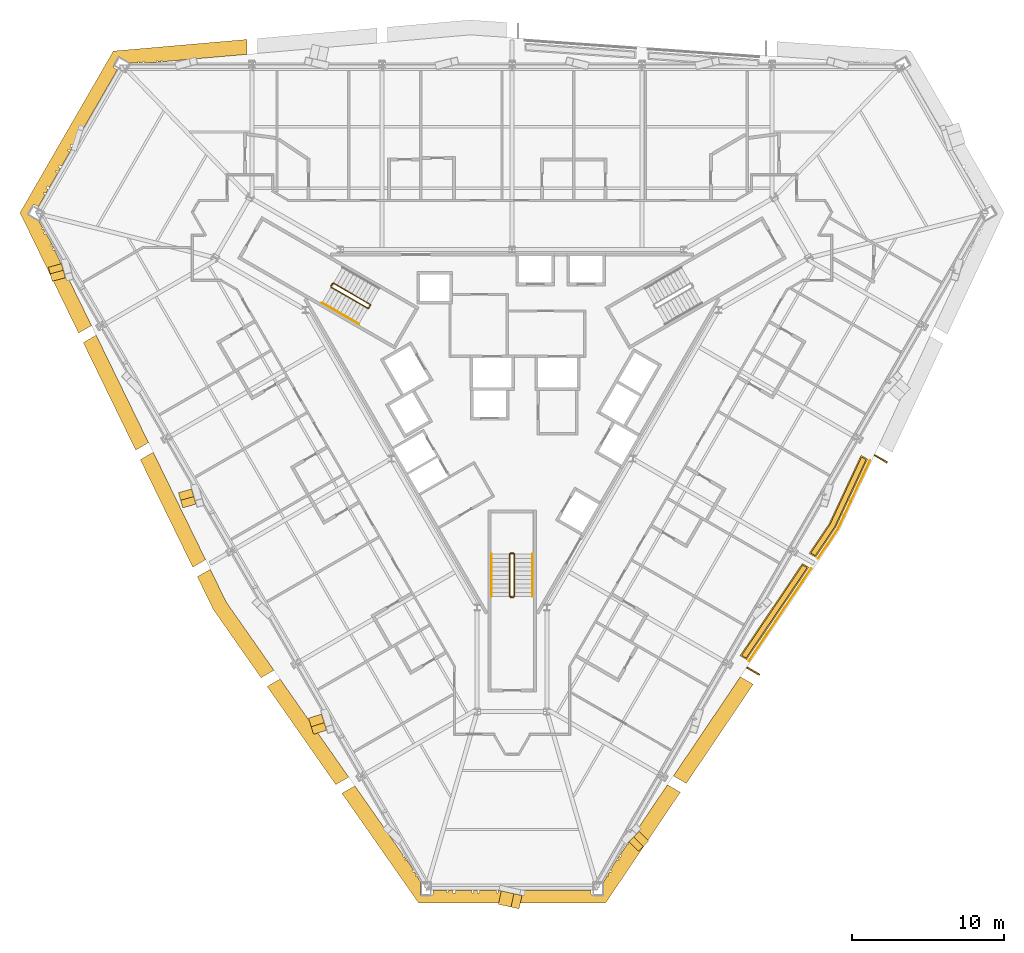
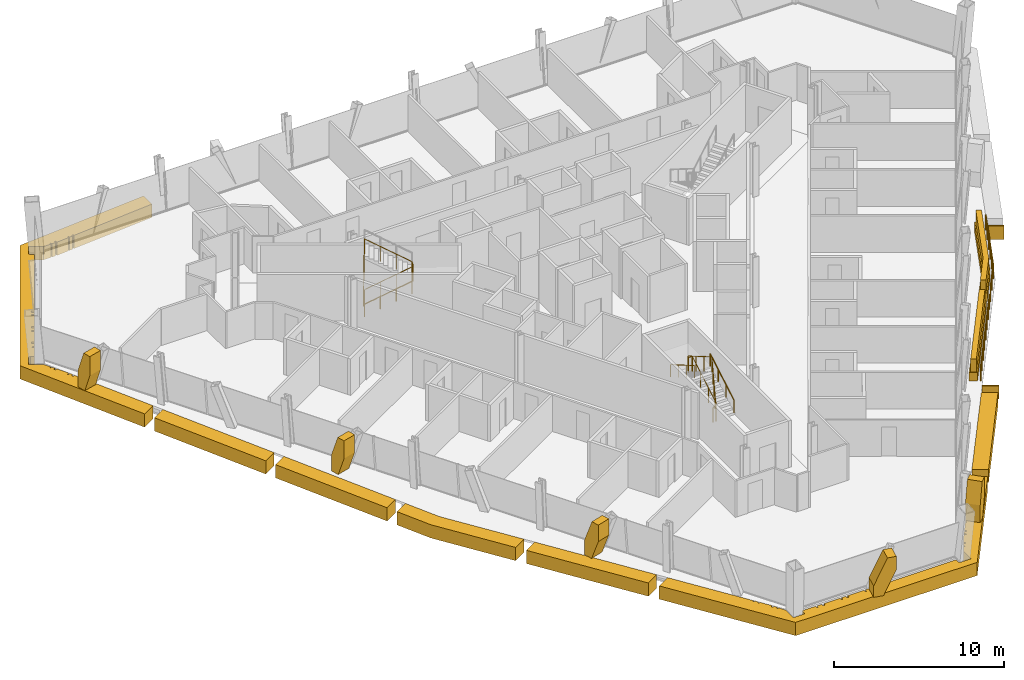
# One storey, part 14 of 15: 18 coverings, 7 railings.
"""IFC4 building model written with IfcOpenShell, lengths in metres."""

import ifcopenshell
import ifcopenshell.guid

model = None  # the IFC model being written
_history = None  # IfcOwnerHistory: only IFC2X3 demands one
_inside = {}  # id of a spatial element -> (the spatial element, [elements in it])
_under = {}  # id of a project, library or spatial element -> (it, [spatial elements below it])
_declared = {}  # id of a project -> (the project, [libraries it declares])
_typed = {}  # id of a type object -> (the type object, [elements of that type])
_made_of = {}  # id of a material, layer set ... -> (it, [elements and type objects made of it])


def new_model(schema):
    """Start an empty IFC model of exactly this schema.

    Asked for "IFC4X3", IfcOpenShell would pick the latest addendum, in which some entities
    have other attributes; the version numbers below select the first issue.
    IFC2X3 requires an IfcOwnerHistory on every rooted entity: one is made here for all.
    """
    global model, _history
    if schema == "IFC4X3":
        model = ifcopenshell.file(schema_version=(4, 3, 0, 0))
    else:
        model = ifcopenshell.file(schema=schema)
    _inside.clear()
    _under.clear()
    _declared.clear()
    _typed.clear()
    _made_of.clear()
    _history = None
    if model.schema == "IFC2X3":
        org = make("IfcOrganization", Name="unknown")
        user = make(
            "IfcPersonAndOrganization",
            ThePerson=make("IfcPerson", FamilyName="unknown"),
            TheOrganization=org,
        )
        app = make(
            "IfcApplication",
            ApplicationDeveloper=org,
            Version="unknown",
            ApplicationFullName="unknown",
            ApplicationIdentifier="unknown",
        )
        _history = make(
            "IfcOwnerHistory",
            OwningUser=user,
            OwningApplication=app,
            ChangeAction="ADDED",
            CreationDate=0,
        )
    return model


def make(cls, **values):
    """One entity of the class cls with the attributes given. An attribute that is None is left unset."""
    return model.create_entity(
        cls, **{name: value for name, value in values.items() if value is not None}
    )


def rooted(cls, **values):
    """An entity with a GlobalId (a new one), such as an element, a storey or a relation."""
    return make(cls, GlobalId=ifcopenshell.guid.new(), OwnerHistory=_history, **values)


def si_unit(unit_type, name, prefix=None):
    """IfcSIUnit, for example si_unit("LENGTHUNIT", "METRE", prefix="MILLI")."""
    return make("IfcSIUnit", UnitType=unit_type, Prefix=prefix, Name=name)


def assignment(units):
    """IfcUnitAssignment: the units of a project."""
    return None if units is None else make("IfcUnitAssignment", Units=units)


def point(xyz):
    """IfcCartesianPoint."""
    return None if xyz is None else make("IfcCartesianPoint", Coordinates=xyz)


def direction(xyz):
    """IfcDirection."""
    return None if xyz is None else make("IfcDirection", DirectionRatios=xyz)


def frame(location, z_axis=None, x_axis=None):
    """IfcAxis2Placement3D, a coordinate frame: its origin and axes. An axis left out is left unset."""
    return make(
        "IfcAxis2Placement3D",
        Location=point(location),
        Axis=direction(z_axis),
        RefDirection=direction(x_axis),
    )


def frame_2d(location, x_axis=None):
    """IfcAxis2Placement2D, a coordinate frame in the plane: its origin and x axis."""
    return make(
        "IfcAxis2Placement2D", Location=point(location), RefDirection=direction(x_axis)
    )


def origin():
    """The frame at (0, 0, 0) with its axes left unset."""
    return frame((0.0, 0.0, 0.0))


def origin_2d():
    """The frame at (0, 0) in the plane with its x axis left unset."""
    return frame_2d((0.0, 0.0))


def place(relative_to, where):
    """IfcLocalPlacement: puts the frame where relative to a parent placement (None: the world)."""
    return make(
        "IfcLocalPlacement", PlacementRelTo=relative_to, RelativePlacement=where
    )


def context(
    kind, dimensions, precision=None, world=None, true_north=None, identifier=None
):
    """IfcGeometricRepresentationContext, for example the 3D "Model" context."""
    return make(
        "IfcGeometricRepresentationContext",
        ContextIdentifier=identifier,
        ContextType=kind,
        CoordinateSpaceDimension=dimensions,
        Precision=precision,
        WorldCoordinateSystem=world,
        TrueNorth=true_north,
    )


def subcontext(parent, identifier, kind, view, scale=None):
    """IfcGeometricRepresentationSubContext, for example "Body" below "Model"."""
    return make(
        "IfcGeometricRepresentationSubContext",
        ContextIdentifier=identifier,
        ContextType=kind,
        ParentContext=parent,
        TargetScale=scale,
        TargetView=view,
    )


def project(units=None, contexts=None):
    """IfcProject with its units and contexts."""
    return rooted(
        "IfcProject",
        Name="project",
        RepresentationContexts=contexts,
        UnitsInContext=assignment(units),
    )


def spatial(cls, under=None, at=None, **own):
    """A site, building, storey or space (cls), placed at a placement, below another one or the project."""
    s = rooted(cls, ObjectPlacement=at, **own)
    if under is not None:
        _under.setdefault(under.id(), (under, []))[1].append(s)
    return s


def polyline(points):
    """IfcPolyline through the points."""
    return make("IfcPolyline", Points=[point(p) for p in points])


def profile(cls, at=None, kind="AREA", **sizes):
    """A parametric profile (cls). Its sizes go by their IFC names, for example OverallWidth=200.0."""
    return make(cls, ProfileType=kind, Position=at, **sizes)


def circle(**sizes):
    """IfcCircleProfileDef."""
    return profile("IfcCircleProfileDef", **sizes)


def outline(outer, holes=None, kind="AREA"):
    """IfcArbitraryClosedProfileDef: a profile drawn as a closed curve; with holes, ...WithVoids."""
    if holes is None:
        return make("IfcArbitraryClosedProfileDef", ProfileType=kind, OuterCurve=outer)
    return make(
        "IfcArbitraryProfileDefWithVoids",
        ProfileType=kind,
        OuterCurve=outer,
        InnerCurves=holes,
    )


def extrude(swept, where, along, depth):
    """IfcExtrudedAreaSolid: the profile swept, set in the frame where, extruded along a direction by depth."""
    return make(
        "IfcExtrudedAreaSolid",
        SweptArea=swept,
        Position=where,
        ExtrudedDirection=direction(along),
        Depth=depth,
    )


def shape(context_of_items, identifier, shape_type, items):
    """IfcShapeRepresentation: the items that make up one representation, for example the "Body"."""
    return make(
        "IfcShapeRepresentation",
        ContextOfItems=context_of_items,
        RepresentationIdentifier=identifier,
        RepresentationType=shape_type,
        Items=items,
    )


def material(Name=None, Category=None):
    """IfcMaterial."""
    return make("IfcMaterial", Name=Name, Category=Category)


def layer(
    of_material, thickness, ventilated=None, Name=None, Category=None, Priority=None
):
    """IfcMaterialLayer: one layer of a wall or slab, of a material (None: an air gap)."""
    return make(
        "IfcMaterialLayer",
        Material=of_material,
        LayerThickness=thickness,
        IsVentilated=ventilated,
        Name=Name,
        Category=Category,
        Priority=Priority,
    )


def layer_set(layers, Name=None):
    """IfcMaterialLayerSet."""
    return make("IfcMaterialLayerSet", MaterialLayers=layers, LayerSetName=Name)


def made_of(thing, what):
    """Note that an element or type object is made of a material, layer set ...; save() writes the relation."""
    if what is not None:
        _made_of.setdefault(what.id(), (what, []))[1].append(thing)
    return thing


def type_object(cls, material=None, **own):
    """A type object (cls), such as IfcWallType, which elements share."""
    return made_of(rooted(cls, **own), material)


def element(
    cls,
    number,
    at=None,
    inside=None,
    cuts=None,
    type_object=None,
    material=None,
    context=None,
    identifier="Body",
    shape_type=None,
    held_by="IfcProductDefinitionShape",
    body=None,
    shapes=None,
    **own,
):
    """One element of the class cls, such as IfcWall. Its Tag is "e" and its number.

    at: its placement. inside: the storey or other place that contains it. cuts: it is an
    opening in that element (IfcRelVoidsElement). A single representation is given by context,
    identifier, shape_type and body (its items); several are given by shapes. held_by: the class
    of the entity that holds the representations. save() writes the other relations.
    """
    e = rooted(cls, Tag="e%d" % number, ObjectPlacement=at, **own)
    if body is not None:
        shapes = [shape(context, identifier, shape_type, body)]
    if shapes is not None:
        e.Representation = make(held_by, Representations=shapes)
    if inside is not None:
        _inside.setdefault(inside.id(), (inside, []))[1].append(e)
    if cuts is not None:
        rooted(
            "IfcRelVoidsElement", RelatingBuildingElement=cuts, RelatedOpeningElement=e
        )
    if type_object is not None:
        _typed.setdefault(type_object.id(), (type_object, []))[1].append(e)
    return made_of(e, material)


def aggregate(whole, parts):
    """IfcRelAggregates: a whole, such as a stair, and the parts it consists of."""
    return rooted("IfcRelAggregates", RelatingObject=whole, RelatedObjects=parts)


def save(model, path):
    """Write the relations noted so far, then the file.

    IfcRelAggregates (storeys below a building ...), IfcRelContainedInSpatialStructure (elements
    in a storey), IfcRelDefinesByType, IfcRelAssociatesMaterial and IfcRelDeclares: one each for
    every whole, place, type object, material and project.
    """
    for whole, parts in _under.values():
        aggregate(whole, parts)
    for where, things in _inside.values():
        rooted(
            "IfcRelContainedInSpatialStructure",
            RelatedElements=things,
            RelatingStructure=where,
        )
    for kind, things in _typed.values():
        rooted("IfcRelDefinesByType", RelatedObjects=things, RelatingType=kind)
    for what, things in _made_of.values():
        rooted("IfcRelAssociatesMaterial", RelatedObjects=things, RelatingMaterial=what)
    for by, libraries in _declared.values():
        rooted("IfcRelDeclares", RelatingContext=by, RelatedDefinitions=libraries)
    model.write(path)


model = new_model("IFC4")

# Units and contexts
model_context = context("Model", 3, precision=1e-05, world=origin(), true_north=direction((0.0, 1.0)))
body_context = subcontext(model_context, "Body", "Model", "MODEL_VIEW")
ifc_project = project(units=[si_unit("LENGTHUNIT", "METRE"), si_unit("AREAUNIT", "SQUARE_METRE"), si_unit("VOLUMEUNIT", "CUBIC_METRE"), si_unit("PLANEANGLEUNIT", "RADIAN"), si_unit("MASSUNIT", "GRAM", prefix="KILO")], contexts=[model_context])

# Site, building, storey
site_placement = place(None, origin())
site = spatial("IfcSite", under=ifc_project, at=site_placement, CompositionType="ELEMENT")
building_placement = place(site_placement, origin())
building = spatial("IfcBuilding", under=site, at=building_placement, Name="Verrane Prism Tower", CompositionType="ELEMENT")
storey_placement = place(building_placement, frame((0.0, 0.0, 72.800048828125)))
storey = spatial("IfcBuildingStorey", under=building, at=storey_placement, Name="L16", CompositionType="ELEMENT", Elevation=72.800048828125)

# Coverings
ifc_material_1 = material(Name="Planting medium in stone kerb", Category="masonry")
covering_type_1 = type_object("IfcCoveringType", Name="Planter bed 600", PredefinedType="USERDEFINED", material=ifc_material_1)
covering_1_placement = place(storey_placement, origin())
element("IfcCovering", 1, at=covering_1_placement, inside=storey, type_object=covering_type_1, Name="Loggia planter SE3 L16", ObjectType="PLANTER", PredefinedType="USERDEFINED", context=body_context, shape_type="SweptSolid", body=[
    extrude(outline(polyline([(15.480224609375, -17.8564453125), (19.587890625, -11.77099609375), (19.155029296875, -11.52099609375), (15.04736328125, -17.6064453125), (15.480224609375, -17.8564453125)])), origin(), (0.0, 0.0, 1.0), 0.599853515625),
])
covering_2_placement = place(storey_placement, origin())
element("IfcCovering", 2, at=covering_2_placement, inside=storey, type_object=covering_type_1, Name="Loggia planter SE4 L16", ObjectType="PLANTER", PredefinedType="USERDEFINED", context=body_context, shape_type="SweptSolid", body=[
    extrude(outline(polyline([(20.03662109375, -11.106201171875), (21.35009765625, -9.160400390625), (23.4658203125, -4.629150390625), (23.03271484375, -4.379150390625), (20.917236328125, -8.910400390625), (19.603759765625, -10.856201171875), (20.03662109375, -11.106201171875)])), origin(), (0.0, 0.0, 1.0), 0.599853515625),
])
ifc_material_2 = material(Name="Planted shrubs and grasses", Category="other")
covering_type_2 = type_object("IfcCoveringType", Name="Planting mass 1000", PredefinedType="USERDEFINED", material=ifc_material_2)
covering_3_placement = place(storey_placement, frame((0.0, 0.0, 0.599853515625)))
element("IfcCovering", 3, at=covering_3_placement, inside=storey, type_object=covering_type_2, Name="Loggia planting SE3 L16", ObjectType="PLANTING", PredefinedType="USERDEFINED", context=body_context, shape_type="SweptSolid", body=[
    extrude(outline(polyline([(19.4736328125, -11.79736328125), (19.1796875, -11.627685546875), (15.16162109375, -17.580078125), (15.455810546875, -17.75), (19.4736328125, -11.79736328125)])), origin(), (0.0, 0.0, 1.0), 0.900146484375),
])
covering_4_placement = place(storey_placement, frame((0.0, 0.0, 0.599853515625)))
element("IfcCovering", 4, at=covering_4_placement, inside=storey, type_object=covering_type_2, Name="Loggia planting SE4 L16", ObjectType="PLANTING", PredefinedType="USERDEFINED", context=body_context, shape_type="SweptSolid", body=[
    extrude(outline(polyline([(21.280517578125, -9.120849609375), (23.3623046875, -4.66162109375), (23.068359375, -4.491943359375), (20.987060546875, -8.949951171875), (19.718017578125, -10.829833984375), (20.01220703125, -10.999755859375), (21.280517578125, -9.120849609375)])), origin(), (0.0, 0.0, 1.0), 0.900146484375),
])

# Railings
ifc_material_3 = material(Name="Steel A36 rail and posts, no infill", Category="steel")
railing_type_1 = type_object("IfcRailingType", Name="Stair guard 1100 steel rail and posts", PredefinedType="GUARDRAIL", material=ifc_material_3)
railing_1_placement = place(storey_placement, frame((-11.939453125, 6.72021484375, 0.16357421875)))
element("IfcRailing", 5, at=railing_1_placement, inside=storey, type_object=railing_type_1, Name="Stair 2 guard", PredefinedType="GUARDRAIL", context=body_context, shape_type="SweptSolid", body=[
    extrude(circle(Radius=0.02392578125, at=origin_2d()), frame((0.0, 0.0, 1.076171875), z_axis=(0.747665513933, -0.431721881032, 0.504591415616), x_axis=(0.500049511043, 0.865996816683, 0.0)), (0.0, 0.0, 1.0), 3.2431640625),
    extrude(circle(Radius=0.02392578125, at=origin_2d()), frame((2.4248046875, -1.400146484375, 2.71240234375), z_axis=(0.965948051503, 0.258736085224, 0.0), x_axis=(-0.258736085224, 0.965948051503, 0.0)), (0.0, 0.0, 1.0), 0.07080078125),
    extrude(circle(Radius=0.02392578125, at=origin_2d()), frame((2.4931640625, -1.3818359375, 2.71240234375), z_axis=(0.499158860599, 0.866510491504, 0.0), x_axis=(-0.866510491504, 0.499158860599, 0.0)), (0.0, 0.0, 1.0), 0.199951171875),
    extrude(circle(Radius=0.02392578125, at=origin_2d()), frame((2.593017578125, -1.20849609375, 2.71240234375), z_axis=(-0.102791240646, 0.382383415203, 0.918268416436), x_axis=(-0.965715946433, -0.259601060869, 0.0)), (0.0, 0.0, 1.0), 0.17822265625),
    extrude(circle(Radius=0.02392578125, at=origin_2d()), frame((2.57470703125, -1.140380859375, 2.8759765625), z_axis=(-0.747693913401, 0.431738279637, 0.504535300807), x_axis=(-0.500049511043, -0.865996816683, 0.0)), (0.0, 0.0, 1.0), 3.2431640625),
    extrude(circle(Radius=0.02392578125, at=origin_2d()), frame((0.14990234375, 0.259765625, 4.51220703125), z_axis=(-0.046610908435, -0.053105316576, -0.997500500534), x_axis=(0.751567565678, -0.659656118156, 0.0)), (0.0, 0.0, 1.0), 3.60888671875),
    extrude(circle(Radius=0.02392578125, at=origin_2d()), frame((-0.018310546875, 0.068115234375, 0.91259765625), z_axis=(0.499158860599, 0.866510491504, 0.0), x_axis=(-0.866510491504, 0.499158860599, 0.0)), (0.0, 0.0, 1.0), 0.199951171875),
    extrude(circle(Radius=0.02099609375, at=origin_2d()), origin(), (0.0, 0.0, 1.0), 1.052001953125),
    extrude(circle(Radius=0.02099609375, at=origin_2d()), frame((0.808349609375, -0.466796875, 0.54541015625)), (0.0, 0.0, 1.0), 1.052001953125),
    extrude(circle(Radius=0.02099609375, at=origin_2d()), frame((1.616455078125, -0.933349609375, 1.091064453125)), (0.0, 0.0, 1.0), 1.052001953125),
    extrude(circle(Radius=0.02099609375, at=origin_2d()), frame((2.4248046875, -1.400146484375, 1.636474609375)), (0.0, 0.0, 1.0), 1.052001953125),
    extrude(circle(Radius=0.02099609375, at=origin_2d()), frame((2.4931640625, -1.3818359375, 1.636474609375)), (0.0, 0.0, 1.0), 1.052001953125),
    extrude(circle(Radius=0.02099609375, at=origin_2d()), frame((2.593017578125, -1.20849609375, 1.636474609375)), (0.0, 0.0, 1.0), 1.052001953125),
    extrude(circle(Radius=0.02099609375, at=origin_2d()), frame((2.57470703125, -1.140380859375, 1.800048828125)), (0.0, 0.0, 1.0), 1.052001953125),
    extrude(circle(Radius=0.02099609375, at=origin_2d()), frame((1.766357421875, -0.673583984375, 2.345458984375)), (0.0, 0.0, 1.0), 1.052001953125),
    extrude(circle(Radius=0.02099609375, at=origin_2d()), frame((0.958251953125, -0.20703125, 2.890869140625)), (0.0, 0.0, 1.0), 1.052001953125),
    extrude(circle(Radius=0.02099609375, at=origin_2d()), frame((0.14990234375, 0.259765625, 3.436279296875)), (0.0, 0.0, 1.0), 1.052001953125),
    extrude(circle(Radius=0.02099609375, at=origin_2d()), frame((0.10791015625, 0.2119140625, 2.536376953125)), (0.0, 0.0, 1.0), 1.052001953125),
    extrude(circle(Radius=0.02099609375, at=origin_2d()), frame((0.06591796875, 0.1640625, 1.63623046875)), (0.0, 0.0, 1.0), 1.052001953125),
    extrude(circle(Radius=0.02099609375, at=origin_2d()), frame((0.023681640625, 0.115966796875, 0.736328125)), (0.0, 0.0, 1.0), 1.052001953125),
    extrude(circle(Radius=0.02099609375, at=origin_2d()), frame((-0.018310546875, 0.068115234375, -0.16357421875)), (0.0, 0.0, 1.0), 1.052001953125),
    extrude(circle(Radius=0.02099609375, at=origin_2d()), frame((0.08154296875, 0.241455078125, -0.16357421875)), (0.0, 0.0, 1.0), 1.052001953125),
])
railing_2_placement = place(storey_placement, frame((0.14990234375, -13.699951171875, 0.16357421875)))
element("IfcRailing", 6, at=railing_2_placement, inside=storey, type_object=railing_type_1, Name="Stair 3 guard", PredefinedType="GUARDRAIL", context=body_context, shape_type="SweptSolid", body=[
    extrude(circle(Radius=0.02392578125, at=origin_2d()), frame((0.0, 0.0, 1.076171875), z_axis=(0.0, 0.863360870873, 0.504586966384), x_axis=(-1.0, 0.0, 0.0)), (0.0, 0.0, 1.0), 3.2431640625),
    extrude(circle(Radius=0.02392578125, at=origin_2d()), frame((0.0, 2.800048828125, 2.71240234375), z_axis=(-0.707106781187, 0.707106781187, 0.0), x_axis=(-0.707106781187, -0.707106781187, 0.0)), (0.0, 0.0, 1.0), 0.0703125),
    extrude(circle(Radius=0.02392578125, at=origin_2d()), frame((-0.0498046875, 2.849853515625, 2.71240234375), z_axis=(-1.0, 0.0, 0.0), x_axis=(0.0, -1.0, 0.0)), (0.0, 0.0, 1.0), 0.2001953125),
    extrude(circle(Radius=0.02392578125, at=origin_2d()), frame((-0.25, 2.849853515625, 2.71240234375), z_axis=(-0.279653641804, -0.279653641804, 0.918470294159), x_axis=(0.707106781187, -0.707106781187, 0.0)), (0.0, 0.0, 1.0), 0.177978515625),
    extrude(circle(Radius=0.02392578125, at=origin_2d()), frame((-0.2998046875, 2.800048828125, 2.8759765625), z_axis=(0.0, -0.863393664356, 0.504530851732), x_axis=(1.0, 0.0, 0.0)), (0.0, 0.0, 1.0), 3.2431640625),
    extrude(circle(Radius=0.02392578125, at=origin_2d()), frame((-0.2998046875, 0.0, 4.51220703125), z_axis=(0.069273741535, -0.013868278335, -0.997501288014), x_axis=(0.196300278283, 0.98054382908, 0.0)), (0.0, 0.0, 1.0), 3.60888671875),
    extrude(circle(Radius=0.02392578125, at=origin_2d()), frame((-0.0498046875, -0.050048828125, 0.91259765625), z_axis=(-1.0, 0.0, 0.0), x_axis=(0.0, -1.0, 0.0)), (0.0, 0.0, 1.0), 0.2001953125),
    extrude(circle(Radius=0.02099609375, at=origin_2d()), origin(), (0.0, 0.0, 1.0), 1.052001953125),
    extrude(circle(Radius=0.02099609375, at=origin_2d()), frame((0.0, 0.933349609375, 0.54541015625)), (0.0, 0.0, 1.0), 1.052001953125),
    extrude(circle(Radius=0.02099609375, at=origin_2d()), frame((0.0, 1.86669921875, 1.091064453125)), (0.0, 0.0, 1.0), 1.052001953125),
    extrude(circle(Radius=0.02099609375, at=origin_2d()), frame((0.0, 2.800048828125, 1.636474609375)), (0.0, 0.0, 1.0), 1.052001953125),
    extrude(circle(Radius=0.02099609375, at=origin_2d()), frame((-0.0498046875, 2.849853515625, 1.636474609375)), (0.0, 0.0, 1.0), 1.052001953125),
    extrude(circle(Radius=0.02099609375, at=origin_2d()), frame((-0.25, 2.849853515625, 1.636474609375)), (0.0, 0.0, 1.0), 1.052001953125),
    extrude(circle(Radius=0.02099609375, at=origin_2d()), frame((-0.2998046875, 2.800048828125, 1.800048828125)), (0.0, 0.0, 1.0), 1.052001953125),
    extrude(circle(Radius=0.02099609375, at=origin_2d()), frame((-0.2998046875, 1.86669921875, 2.345458984375)), (0.0, 0.0, 1.0), 1.052001953125),
    extrude(circle(Radius=0.02099609375, at=origin_2d()), frame((-0.2998046875, 0.933349609375, 2.890869140625)), (0.0, 0.0, 1.0), 1.052001953125),
    extrude(circle(Radius=0.02099609375, at=origin_2d()), frame((-0.2998046875, 0.0, 3.436279296875)), (0.0, 0.0, 1.0), 1.052001953125),
    extrude(circle(Radius=0.02099609375, at=origin_2d()), frame((-0.2373046875, -0.012451171875, 2.536376953125)), (0.0, 0.0, 1.0), 1.052001953125),
    extrude(circle(Radius=0.02099609375, at=origin_2d()), frame((-0.1748046875, -0.02490234375, 1.63623046875)), (0.0, 0.0, 1.0), 1.052001953125),
    extrude(circle(Radius=0.02099609375, at=origin_2d()), frame((-0.1123046875, -0.03759765625, 0.736328125)), (0.0, 0.0, 1.0), 1.052001953125),
    extrude(circle(Radius=0.02099609375, at=origin_2d()), frame((-0.0498046875, -0.050048828125, -0.16357421875)), (0.0, 0.0, 1.0), 1.052001953125),
    extrude(circle(Radius=0.02099609375, at=origin_2d()), frame((-0.25, -0.050048828125, -0.16357421875)), (0.0, 0.0, 1.0), 1.052001953125),
])
ifc_material_4 = material(Name="Steel A36 tube", Category="steel")
railing_type_2 = type_object("IfcRailingType", Name="Stair handrail 900 steel tube", PredefinedType="HANDRAIL", material=ifc_material_4)
railing_3_placement = place(storey_placement, frame((-12.53955078125, 5.680908203125, 0.16357421875)))
element("IfcRailing", 7, at=railing_3_placement, inside=storey, type_object=railing_type_2, Name="Stair 2 handrail", PredefinedType="HANDRAIL", context=body_context, shape_type="SweptSolid", body=[
    extrude(circle(Radius=0.02392578125, at=origin_2d()), frame((0.0, 0.0, 0.8759765625), z_axis=(0.747665513933, -0.431721881032, 0.504591415616), x_axis=(0.500049511043, 0.865996816683, 0.0)), (0.0, 0.0, 1.0), 3.2431640625),
    extrude(circle(Radius=0.02099609375, at=origin_2d()), origin(), (0.0, 0.0, 1.0), 0.851806640625),
    extrude(circle(Radius=0.02099609375, at=origin_2d()), frame((0.808349609375, -0.466796875, 0.54541015625)), (0.0, 0.0, 1.0), 0.851806640625),
    extrude(circle(Radius=0.02099609375, at=origin_2d()), frame((1.616455078125, -0.933349609375, 1.091064453125)), (0.0, 0.0, 1.0), 0.851806640625),
    extrude(circle(Radius=0.02099609375, at=origin_2d()), frame((2.4248046875, -1.400146484375, 1.636474609375)), (0.0, 0.0, 1.0), 0.851806640625),
])
railing_4_placement = place(storey_placement, frame((1.35009765625, -13.699951171875, 0.16357421875)))
element("IfcRailing", 8, at=railing_4_placement, inside=storey, type_object=railing_type_2, Name="Stair 3 handrail", PredefinedType="HANDRAIL", context=body_context, shape_type="SweptSolid", body=[
    extrude(circle(Radius=0.02392578125, at=origin_2d()), frame((0.0, 0.0, 0.8759765625), z_axis=(0.0, 0.863360870873, 0.504586966384), x_axis=(-1.0, 0.0, 0.0)), (0.0, 0.0, 1.0), 3.2431640625),
    extrude(circle(Radius=0.02099609375, at=origin_2d()), origin(), (0.0, 0.0, 1.0), 0.851806640625),
    extrude(circle(Radius=0.02099609375, at=origin_2d()), frame((0.0, 0.933349609375, 0.54541015625)), (0.0, 0.0, 1.0), 0.851806640625),
    extrude(circle(Radius=0.02099609375, at=origin_2d()), frame((0.0, 1.86669921875, 1.091064453125)), (0.0, 0.0, 1.0), 0.851806640625),
    extrude(circle(Radius=0.02099609375, at=origin_2d()), frame((0.0, 2.800048828125, 1.636474609375)), (0.0, 0.0, 1.0), 0.851806640625),
])
railing_5_placement = place(storey_placement, frame((-1.35009765625, -10.89990234375, 1.963623046875)))
element("IfcRailing", 9, at=railing_5_placement, inside=storey, type_object=railing_type_2, Name="Stair 3 handrail", PredefinedType="HANDRAIL", context=body_context, shape_type="SweptSolid", body=[
    extrude(circle(Radius=0.02392578125, at=origin_2d()), frame((0.0, 0.0, 0.8759765625), z_axis=(0.0, -0.863393664356, 0.504530851732), x_axis=(1.0, 0.0, 0.0)), (0.0, 0.0, 1.0), 3.2431640625),
    extrude(circle(Radius=0.02099609375, at=origin_2d()), origin(), (0.0, 0.0, 1.0), 0.851806640625),
    extrude(circle(Radius=0.02099609375, at=origin_2d()), frame((0.0, -0.933349609375, 0.54541015625)), (0.0, 0.0, 1.0), 0.851806640625),
    extrude(circle(Radius=0.02099609375, at=origin_2d()), frame((0.0, -1.86669921875, 1.0908203125)), (0.0, 0.0, 1.0), 0.851806640625),
    extrude(circle(Radius=0.02099609375, at=origin_2d()), frame((0.0, -2.800048828125, 1.63623046875)), (0.0, 0.0, 1.0), 0.851806640625),
])

# Coverings
ifc_material_5 = material(Name="Warm limestone cladding", Category="masonry")
ifc_layer_1 = layer(ifc_material_5, 0.89990234375)
ifc_layer_set_1 = layer_set([ifc_layer_1], Name="Stone brace fin 900")
covering_type_3 = type_object("IfcCoveringType", Name="Stone brace fin 900", PredefinedType="CLADDING", material=ifc_layer_set_1)
covering_5_placement = place(storey_placement, frame((-30.165771484375, 8.1484375, 0.0), z_axis=(0.0, 0.0, 1.0), x_axis=(0.259452966939, -0.965755744454, 0.0)))
element("IfcCovering", 10, at=covering_5_placement, inside=storey, type_object=covering_type_3, Name="Stone brace fin SW1 L16", PredefinedType="CLADDING", context=body_context, shape_type="SweptSolid", body=[
    extrude(outline(polyline([(0.958740234375, 2.64990234375), (0.44970703125, 2.64990234375), (0.0, 1.2392578125), (0.0, 0.0), (0.549560546875, 0.0), (0.958740234375, 1.28369140625), (0.958740234375, 2.64990234375)])), frame((0.0, 0.449951171875, 0.0), z_axis=(0.0, -1.0, 0.0), x_axis=(1.0, 0.0, 0.0)), (0.0, 0.0, 1.0), 0.89990234375),
])
covering_6_placement = place(storey_placement, frame((-21.5830078125, -6.724365234375, 0.0), z_axis=(0.0, 0.0, 1.0), x_axis=(0.275747309607, -0.96123016039, 0.0)))
element("IfcCovering", 11, at=covering_6_placement, inside=storey, type_object=covering_type_3, Name="Stone brace fin SW3 L16", PredefinedType="CLADDING", context=body_context, shape_type="SweptSolid", body=[
    extrude(outline(polyline([(1.036865234375, 2.64990234375), (0.52099609375, 2.64990234375), (0.0, 1.138427734375), (0.0, 0.0), (0.5595703125, 0.0), (1.036865234375, 1.384521484375), (1.036865234375, 2.64990234375)])), frame((0.0, 0.449951171875, 0.0), z_axis=(0.0, -1.0, 0.0), x_axis=(1.0, 0.0, 0.0)), (0.0, 0.0, 1.0), 0.89990234375),
])
covering_7_placement = place(storey_placement, frame((-13.00048828125, -21.594482421875, 0.0), z_axis=(0.0, 0.0, 1.0), x_axis=(0.294808604508, -0.955556323148, 0.0)))
element("IfcCovering", 12, at=covering_7_placement, inside=storey, type_object=covering_type_3, Name="Stone brace fin SW5 L16", PredefinedType="CLADDING", context=body_context, shape_type="SweptSolid", body=[
    extrude(outline(polyline([(1.115478515625, 2.64990234375), (0.5927734375, 2.64990234375), (0.0, 1.051513671875), (0.0, 0.0), (0.56982421875, 0.0), (1.115478515625, 1.471435546875), (1.115478515625, 2.64990234375)])), frame((0.0, 0.449951171875, 0.0), z_axis=(0.0, -1.0, 0.0), x_axis=(1.0, 0.0, 0.0)), (0.0, 0.0, 1.0), 0.89990234375),
])
covering_8_placement = place(storey_placement, frame((8.02783203125, -30.198486328125, 0.0), z_axis=(0.0, 0.0, 1.0), x_axis=(0.706596234974, 0.70761695904, 0.0)))
element("IfcCovering", 13, at=covering_8_placement, inside=storey, type_object=covering_type_3, Name="Stone brace fin SE1 L16", PredefinedType="CLADDING", context=body_context, shape_type="SweptSolid", body=[
    extrude(outline(polyline([(0.956787109375, 2.64990234375), (0.44775390625, 2.64990234375), (0.0, 1.2421875), (0.0, 0.0), (0.54931640625, 0.0), (0.956787109375, 1.28076171875), (0.956787109375, 2.64990234375)])), frame((0.0, 0.449951171875, 0.0), z_axis=(0.0, -1.0, 0.0), x_axis=(1.0, 0.0, 0.0)), (0.0, 0.0, 1.0), 0.89990234375),
])
covering_9_placement = place(storey_placement, frame((-0.805908203125, -33.5732421875, 0.0), z_axis=(0.0, 0.0, 1.0), x_axis=(0.976746125262, -0.214399176272, 0.0)))
element("IfcCovering", 14, at=covering_9_placement, inside=storey, type_object=covering_type_3, Name="Stone brace fin S1 L16", PredefinedType="CLADDING", context=body_context, shape_type="SweptSolid", body=[
    extrude(outline(polyline([(1.3994140625, 2.64990234375), (0.8525390625, 2.64990234375), (0.0, 0.8203125), (0.0, 0.0), (0.610595703125, 0.0), (1.3994140625, 1.692626953125), (1.3994140625, 2.64990234375)])), frame((0.0, 0.449951171875, 0.0), z_axis=(0.0, -1.0, 0.0), x_axis=(1.0, 0.0, 0.0)), (0.0, 0.0, 1.0), 0.89990234375),
])
ifc_material_6 = material(Name="Warm limestone cladding", Category="masonry")
ifc_layer_2 = layer(ifc_material_6, 0.449951171875)
ifc_layer_set_2 = layer_set([ifc_layer_2], Name="Stone spandrel band 450")
covering_type_4 = type_object("IfcCoveringType", Name="Stone spandrel band 450", PredefinedType="CLADDING", material=ifc_layer_set_2)
covering_10_placement = place(storey_placement, frame((0.0, 0.0, -0.949951171875)))
element("IfcCovering", 15, at=covering_10_placement, inside=storey, type_object=covering_type_4, Name="Stone spandrel band L16 part 1", PredefinedType="CLADDING", context=body_context, shape_type="SweptSolid", body=[
    extrude(outline(polyline([(6.166015625, -33.93896484375), (11.107421875, -26.617919921875), (10.25830078125, -26.12744140625), (7.781005859375, -29.798095703125), (7.819091796875, -29.836181640625), (7.741943359375, -29.9130859375), (7.71875, -29.889892578125), (7.650146484375, -29.99169921875), (7.69384765625, -30.01708984375), (7.6572265625, -30.08056640625), (7.60888671875, -30.052490234375), (7.141845703125, -30.74462890625), (7.2412109375, -30.802001953125), (7.18310546875, -30.90283203125), (7.07666015625, -30.84130859375), (6.960205078125, -31.013671875), (7.075439453125, -31.08837890625), (7.03662109375, -31.1484375), (6.920166015625, -31.072998046875), (6.71044921875, -31.3837890625), (6.489990234375, -31.765625), (6.593505859375, -31.83251953125), (6.531494140625, -31.92822265625), (6.432861328125, -31.864501953125), (6.318115234375, -32.063720703125), (6.394775390625, -32.142822265625), (6.346435546875, -32.189697265625), (6.282958984375, -32.124267578125), (6.030029296875, -32.5625), (6.030029296875, -33.43994140625), (5.27001953125, -33.43994140625), (5.27001953125, -33.418212890625), (5.219970703125, -33.3349609375), (5.219970703125, -33.093994140625), (-0.5361328125, -33.093994140625), (-0.57861328125, -33.28759765625), (-0.735595703125, -33.2529296875), (-0.70068359375, -33.093994140625), (-0.94091796875, -33.093994140625), (-0.94091796875, -33.260009765625), (-1.0341796875, -33.260009765625), (-1.0341796875, -33.093994140625), (-2.1328125, -33.093994140625), (-2.1328125, -33.260009765625), (-2.28759765625, -33.260009765625), (-2.28759765625, -33.093994140625), (-2.555419921875, -33.093994140625), (-2.555419921875, -33.260009765625), (-2.648681640625, -33.260009765625), (-2.648681640625, -33.093994140625), (-3.747314453125, -33.093994140625), (-3.747314453125, -33.260009765625), (-3.90185546875, -33.260009765625), (-3.90185546875, -33.093994140625), (-4.195068359375, -33.093994140625), (-4.2412109375, -33.247314453125), (-4.32421875, -33.22216796875), (-4.285400390625, -33.093994140625), (-5.219970703125, -33.093994140625), (-5.219970703125, -33.3349609375), (-5.27001953125, -33.418212890625), (-5.27001953125, -33.43994140625), (-6.030029296875, -33.43994140625), (-6.030029296875, -32.5625), (-6.282958984375, -32.124267578125), (-6.346435546875, -32.189697265625), (-6.394775390625, -32.142822265625), (-6.318115234375, -32.063720703125), (-6.432861328125, -31.864501953125), (-6.531494140625, -31.92822265625), (-6.593505859375, -31.83251953125), (-6.489990234375, -31.765625), (-6.527587890625, -31.70068359375), (-6.9521484375, -31.09375), (-7.03662109375, -31.1484375), (-7.075439453125, -31.08837890625), (-6.9931640625, -31.034912109375), (-7.113525390625, -30.86279296875), (-7.18310546875, -30.90283203125), (-7.2412109375, -30.802001953125), (-7.1806640625, -30.76708984375), (-10.3779296875, -26.196533203125), (-11.228271484375, -26.6875), (-6.155517578125, -33.93896484375), (6.166015625, -33.93896484375)])), origin(), (0.0, 0.0, 1.0), 0.949951171875),
])
covering_11_placement = place(storey_placement, frame((0.0, 0.0, -0.949951171875)))
element("IfcCovering", 16, at=covering_11_placement, inside=storey, type_object=covering_type_4, Name="Stone spandrel band L16 part 3", PredefinedType="CLADDING", context=body_context, shape_type="SweptSolid", body=[
    extrude(outline(polyline([(-32.474853515625, 11.629638671875), (-28.60546875, 3.689453125), (-27.75634765625, 4.1796875), (-29.69677734375, 8.161376953125), (-29.747314453125, 8.147705078125), (-29.775390625, 8.253173828125), (-29.745361328125, 8.26123046875), (-29.799072265625, 8.37158203125), (-29.841552734375, 8.346923828125), (-29.878173828125, 8.410400390625), (-29.831298828125, 8.4375), (-30.197265625, 9.188720703125), (-30.29541015625, 9.1318359375), (-30.353515625, 9.232666015625), (-30.248291015625, 9.293701171875), (-30.339599609375, 9.48046875), (-30.460693359375, 9.41845703125), (-30.4931640625, 9.482421875), (-30.370849609375, 9.544921875), (-30.534423828125, 9.880615234375), (-30.755615234375, 10.263671875), (-30.864501953125, 10.2080078125), (-30.91650390625, 10.309326171875), (-30.812744140625, 10.362548828125), (-30.927490234375, 10.561279296875), (-31.03369140625, 10.534423828125), (-31.05029296875, 10.599365234375), (-30.96240234375, 10.62158203125), (-31.217041015625, 11.06298828125), (-31.9755859375, 11.5009765625), (-31.595703125, 12.1591796875), (-31.57666015625, 12.148193359375), (-31.4794921875, 12.148193359375), (-31.27001953125, 12.027099609375), (-30.802490234375, 12.836669921875), (-30.934326171875, 12.867431640625), (-30.91455078125, 12.9521484375), (-30.757080078125, 12.915283203125), (-30.610595703125, 13.169189453125), (-30.755615234375, 13.253173828125), (-30.67822265625, 13.386962890625), (-30.533203125, 13.30322265625), (-29.984130859375, 14.254150390625), (-30.12890625, 14.337890625), (-30.08251953125, 14.418701171875), (-29.9375, 14.3349609375), (-29.8037109375, 14.566650390625), (-29.948486328125, 14.650146484375), (-29.87109375, 14.7841796875), (-29.7265625, 14.700439453125), (-29.177490234375, 15.651611328125), (-29.322021484375, 15.73486328125), (-29.275390625, 15.815673828125), (-29.130859375, 15.732177734375), (-29.0107421875, 15.940185546875), (-29.166748046875, 15.98974609375), (-29.1181640625, 16.142822265625), (-28.928466796875, 16.082763671875), (-26.05126953125, 21.06640625), (-26.259521484375, 21.186767578125), (-26.306640625, 21.27001953125), (-26.32568359375, 21.281005859375), (-25.94580078125, 21.939208984375), (-25.19091796875, 21.50341796875), (-24.678466796875, 21.50341796875), (-24.70263671875, 21.590087890625), (-24.6376953125, 21.608154296875), (-24.6083984375, 21.50341796875), (-24.379150390625, 21.50341796875), (-24.385009765625, 21.618896484375), (-24.27099609375, 21.62451171875), (-24.264892578125, 21.50341796875), (-24.189697265625, 21.50341796875), (-23.45166015625, 21.567626953125), (-23.456787109375, 21.666015625), (-23.385009765625, 21.669677734375), (-23.380126953125, 21.57373046875), (-23.1708984375, 21.592041015625), (-23.1708984375, 21.669921875), (-23.05419921875, 21.669921875), (-23.05419921875, 21.602294921875), (-17.497802734375, 22.085693359375), (-17.497802734375, 23.067626953125), (-26.314208984375, 22.30029296875), (-32.474853515625, 11.629638671875)])), origin(), (0.0, 0.0, 1.0), 0.949951171875),
])
covering_12_placement = place(storey_placement, frame((0.0, 0.0, -0.949951171875)))
element("IfcCovering", 17, at=covering_12_placement, inside=storey, type_object=covering_type_4, Name="Stone spandrel band L16 part 4", PredefinedType="CLADDING", context=body_context, shape_type="SweptSolid", body=[
    extrude(outline(polyline([(-23.9912109375, -3.546630859375), (-27.448974609375, 3.548828125), (-28.298095703125, 3.05859375), (-24.840087890625, -4.037109375), (-23.9912109375, -3.546630859375)])), origin(), (0.0, 0.0, 1.0), 0.949951171875),
])
covering_13_placement = place(storey_placement, frame((0.0, 0.0, -0.949951171875)))
element("IfcCovering", 18, at=covering_13_placement, inside=storey, type_object=covering_type_4, Name="Stone spandrel band L16 part 5", PredefinedType="CLADDING", context=body_context, shape_type="SweptSolid", body=[
    extrude(outline(polyline([(-24.53271484375, -4.667724609375), (-21.074951171875, -11.763427734375), (-20.225830078125, -11.273193359375), (-23.68359375, -4.177490234375), (-24.53271484375, -4.667724609375)])), origin(), (0.0, 0.0, 1.0), 0.949951171875),
])
covering_14_placement = place(storey_placement, frame((0.0, 0.0, -0.949951171875)))
element("IfcCovering", 19, at=covering_14_placement, inside=storey, type_object=covering_type_4, Name="Stone spandrel band L16 part 6", PredefinedType="CLADDING", context=body_context, shape_type="SweptSolid", body=[
    extrude(outline(polyline([(-19.712890625, -14.55859375), (-16.564208984375, -19.0595703125), (-15.7138671875, -18.568603515625), (-18.8671875, -14.06103515625), (-19.91845703125, -11.904052734375), (-20.767578125, -12.394287109375), (-19.712890625, -14.55859375)])), origin(), (0.0, 0.0, 1.0), 0.949951171875),
])
covering_15_placement = place(storey_placement, frame((0.0, 0.0, -0.949951171875)))
element("IfcCovering", 20, at=covering_15_placement, inside=storey, type_object=covering_type_4, Name="Stone spandrel band L16 part 7", PredefinedType="CLADDING", context=body_context, shape_type="SweptSolid", body=[
    extrude(outline(polyline([(-10.78076171875, -25.620849609375), (-15.311279296875, -19.144287109375), (-16.161376953125, -19.63525390625), (-11.630859375, -26.11181640625), (-10.78076171875, -25.620849609375)])), origin(), (0.0, 0.0, 1.0), 0.949951171875),
])
covering_16_placement = place(storey_placement, frame((0.0, 0.0, -0.949951171875)))
element("IfcCovering", 21, at=covering_16_placement, inside=storey, type_object=covering_type_4, Name="Stone spandrel band L16 part 8", PredefinedType="CLADDING", context=body_context, shape_type="SweptSolid", body=[
    extrude(outline(polyline([(15.06689453125, -19.00341796875), (10.65087890625, -25.5458984375), (11.5, -26.0361328125), (15.916259765625, -19.49365234375), (15.06689453125, -19.00341796875)])), origin(), (0.0, 0.0, 1.0), 0.949951171875),
])
covering_17_placement = place(storey_placement, frame((0.0, 0.0, -0.949951171875)))
element("IfcCovering", 22, at=covering_17_placement, inside=storey, type_object=covering_type_4, Name="Stone spandrel band L16 part 12", PredefinedType="CLADDING", context=body_context, shape_type="SweptSolid", body=[
    extrude(outline(polyline([(16.308837890625, -18.912109375), (16.364990234375, -18.8291015625), (15.515625, -18.3388671875), (15.459716796875, -18.421875), (16.308837890625, -18.912109375)])), origin(), (0.0, 0.0, 1.0), 0.949951171875),
])
covering_18_placement = place(storey_placement, frame((0.0, 0.0, -0.949951171875)))
element("IfcCovering", 23, at=covering_18_placement, inside=storey, type_object=covering_type_4, Name="Stone spandrel band L16 part 13", PredefinedType="CLADDING", context=body_context, shape_type="SweptSolid", body=[
    extrude(outline(polyline([(23.8955078125, -4.415283203125), (24.74560546875, -4.90625), (24.7880859375, -4.815185546875), (23.93798828125, -4.32421875), (23.8955078125, -4.415283203125)])), origin(), (0.0, 0.0, 1.0), 0.949951171875),
])

# Railings
ifc_material_7 = material(Name="Stainless steel and laminated glass", Category="steel")
railing_type_3 = type_object("IfcRailingType", Name="Terrace guard 1100", PredefinedType="GUARDRAIL", material=ifc_material_7)
railing_6_placement = place(storey_placement, frame((15.63623046875, -17.946533203125, 0.0)))
element("IfcRailing", 24, at=railing_6_placement, inside=storey, type_object=railing_type_3, Name="Loggia guard SE3 L16", PredefinedType="GUARDRAIL", context=body_context, shape_type="SweptSolid", body=[
    extrude(circle(Radius=0.02392578125, at=origin_2d()), frame((0.0, 0.0, 1.076171875), z_axis=(0.559471712797, 0.828849445062, 0.0), x_axis=(-0.828849445062, 0.559471712797, 0.0)), (0.0, 0.0, 1.0), 7.342041015625),
    extrude(circle(Radius=0.02099609375, at=origin_2d()), origin(), (0.0, 0.0, 1.0), 1.052001953125),
    extrude(circle(Radius=0.02099609375, at=origin_2d()), frame((0.5869140625, 0.869384765625, 0.0)), (0.0, 0.0, 1.0), 1.052001953125),
    extrude(circle(Radius=0.02099609375, at=origin_2d()), frame((1.173583984375, 1.73876953125, 0.0)), (0.0, 0.0, 1.0), 1.052001953125),
    extrude(circle(Radius=0.02099609375, at=origin_2d()), frame((1.760498046875, 2.608154296875, 0.0)), (0.0, 0.0, 1.0), 1.052001953125),
    extrude(circle(Radius=0.02099609375, at=origin_2d()), frame((2.34716796875, 3.477294921875, 0.0)), (0.0, 0.0, 1.0), 1.052001953125),
    extrude(circle(Radius=0.02099609375, at=origin_2d()), frame((2.93408203125, 4.3466796875, 0.0)), (0.0, 0.0, 1.0), 1.052001953125),
    extrude(circle(Radius=0.02099609375, at=origin_2d()), frame((3.520751953125, 5.216064453125, 0.0)), (0.0, 0.0, 1.0), 1.052001953125),
    extrude(circle(Radius=0.02099609375, at=origin_2d()), frame((4.107666015625, 6.08544921875, 0.0)), (0.0, 0.0, 1.0), 1.052001953125),
])
railing_7_placement = place(storey_placement, frame((20.192626953125, -11.1962890625, 0.0)))
element("IfcRailing", 25, at=railing_7_placement, inside=storey, type_object=railing_type_3, Name="Loggia guard SE4 L16", PredefinedType="GUARDRAIL", context=body_context, shape_type="SweptSolid", body=[
    extrude(circle(Radius=0.02392578125, at=origin_2d()), frame((0.0, 0.0, 1.076171875), z_axis=(0.55949071568, 0.828836617838, 0.0), x_axis=(-0.828836617838, 0.55949071568, 0.0)), (0.0, 0.0, 1.0), 2.34765625),
    extrude(circle(Radius=0.02392578125, at=origin_2d()), frame((1.3134765625, 1.94580078125, 1.076171875), z_axis=(0.423013743721, 0.906123265689, 0.0), x_axis=(-0.906123265689, 0.423013743721, 0.0)), (0.0, 0.0, 1.0), 5.0009765625),
    extrude(circle(Radius=0.02099609375, at=origin_2d()), origin(), (0.0, 0.0, 1.0), 1.052001953125),
    extrude(circle(Radius=0.02099609375, at=origin_2d()), frame((0.65673828125, 0.972900390625, 0.0)), (0.0, 0.0, 1.0), 1.052001953125),
    extrude(circle(Radius=0.02099609375, at=origin_2d()), frame((1.3134765625, 1.94580078125, 0.0)), (0.0, 0.0, 1.0), 1.052001953125),
    extrude(circle(Radius=0.02099609375, at=origin_2d()), frame((1.736572265625, 2.85205078125, 0.0)), (0.0, 0.0, 1.0), 1.052001953125),
    extrude(circle(Radius=0.02099609375, at=origin_2d()), frame((2.15966796875, 3.75830078125, 0.0)), (0.0, 0.0, 1.0), 1.052001953125),
    extrude(circle(Radius=0.02099609375, at=origin_2d()), frame((2.582763671875, 4.664794921875, 0.0)), (0.0, 0.0, 1.0), 1.052001953125),
    extrude(circle(Radius=0.02099609375, at=origin_2d()), frame((3.005859375, 5.571044921875, 0.0)), (0.0, 0.0, 1.0), 1.052001953125),
    extrude(circle(Radius=0.02099609375, at=origin_2d()), frame((3.428955078125, 6.477294921875, 0.0)), (0.0, 0.0, 1.0), 1.052001953125),
])

save(model, "model.ifc")
